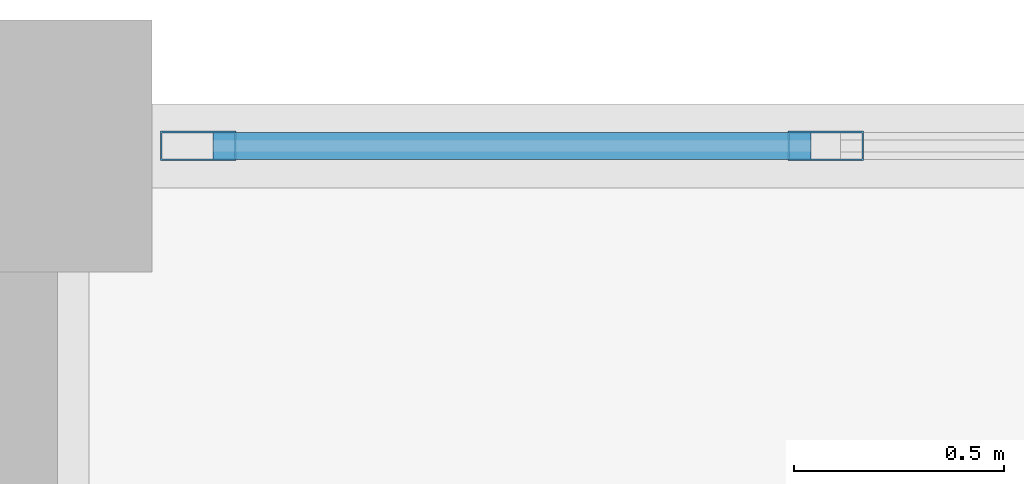
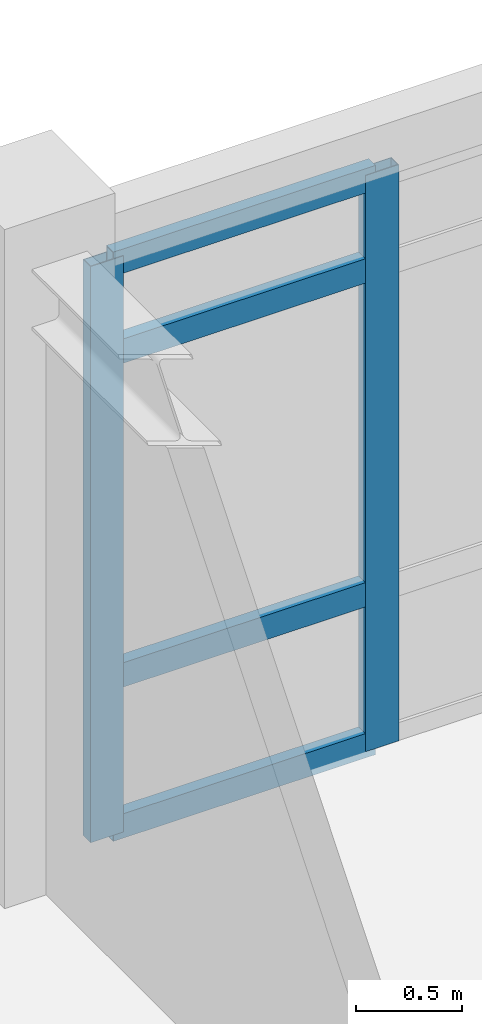
# One storey, part 29 of 86: 6 members, 1 element without a shape of its own.
"""IFC4 building model written with IfcOpenShell, lengths in metres."""

from ifc_helpers import new_model, si_unit, direction, frame, origin, origin_2d, place, context, subcontext, project, spatial, hollow_rectangle, extrude, material, layer, layer_set, material_profile, profile_set, type_object, element, aggregate, save


model = new_model("IFC4")

# Units and contexts
model_context = context("Model", 3, precision=1e-05, world=origin(), true_north=direction((0.0, 1.0)))
body_context = subcontext(model_context, "Body", "Model", "MODEL_VIEW")
ifc_project = project(units=[si_unit("LENGTHUNIT", "METRE"), si_unit("AREAUNIT", "SQUARE_METRE"), si_unit("VOLUMEUNIT", "CUBIC_METRE"), si_unit("PLANEANGLEUNIT", "RADIAN"), si_unit("MASSUNIT", "GRAM", prefix="KILO")], contexts=[model_context])

# Site, building, storey
site_placement = place(None, origin())
site = spatial("IfcSite", under=ifc_project, at=site_placement, CompositionType="ELEMENT")
building_placement = place(site_placement, origin())
building = spatial("IfcBuilding", under=site, at=building_placement, Name="Bramfleet General Hospital", CompositionType="ELEMENT")
storey_placement = place(building_placement, frame((0.0, 0.0, 18.60009765625)))
storey = spatial("IfcBuildingStorey", under=building, at=storey_placement, Name="L04", CompositionType="ELEMENT", Elevation=18.60009765625)

# Curtain wall, members
ifc_material_1 = material(Name="Anodised aluminium and low-E triple glazing", Category="aluminium")
ifc_layer = layer(ifc_material_1, 0.179931640625, Name="CWT-CW-09")
ifc_layer_set = layer_set([ifc_layer], Name="Anodised aluminium and low-E triple glazing")
curtain_wall_type = type_object("IfcCurtainWallType", Name="CWT-CW-09", PredefinedType="USERDEFINED", material=ifc_layer_set)
curtain_wall_placement = place(storey_placement, origin())
curtain_wall = element("IfcCurtainWall", 1, at=curtain_wall_placement, inside=storey, type_object=curtain_wall_type, Name="L04 Curtain Wall 189", ObjectType="Unitised curtain wall", PredefinedType="USERDEFINED")
ifc_material_2 = material(Name="Anodised aluminium EN AW-6060", Category="aluminium")
ifc_material_profile_1 = material_profile(ifc_material_2, hollow_rectangle(XDim=0.070068359375, YDim=0.179931640625, WallThickness=0.00390625, at=origin_2d()), Name="ALU 180x70x4.0")
ifc_profile_set_1 = profile_set([ifc_material_profile_1], Name="Anodised aluminium EN AW-6060")
member_type_1 = type_object("IfcMemberType", Name="CWM-ALU180", PredefinedType="MULLION", material=ifc_profile_set_1)
member_1_placement = place(storey_placement, frame((134.81005859375, 117.60009765625, 0.0), z_axis=(0.0, 0.0, 1.0), x_axis=(0.0, 1.0, 0.0)))
member_1 = element("IfcMember", 2, at=member_1_placement, type_object=member_type_1, Name="CW-09 mullion 1", PredefinedType="MULLION", context=body_context, shape_type="SweptSolid", body=[
    extrude(hollow_rectangle(XDim=0.070068359375, YDim=0.179931640625, WallThickness=0.00390625, at=origin_2d()), origin(), (0.0, 0.0, 1.0), 3.309814453125),
])
member_2_placement = place(storey_placement, frame((136.304931640625, 117.60009765625, 0.0), z_axis=(0.0, 0.0, 1.0), x_axis=(0.0, 1.0, 0.0)))
member_2 = element("IfcMember", 3, at=member_2_placement, type_object=member_type_1, Name="CW-09 mullion 2", PredefinedType="MULLION", context=body_context, shape_type="SweptSolid", body=[
    extrude(hollow_rectangle(XDim=0.070068359375, YDim=0.179931640625, WallThickness=0.00390625, at=origin_2d()), origin(), (0.0, 0.0, 1.0), 3.309814453125),
])
ifc_material_profile_2 = material_profile(ifc_material_2, hollow_rectangle(XDim=0.06494140625, YDim=0.139892578125, WallThickness=0.00390625, at=origin_2d()), Name="ALU 140x65x4.0")
ifc_profile_set_2 = profile_set([ifc_material_profile_2], Name="Anodised aluminium EN AW-6060")
member_type_2 = type_object("IfcMemberType", Name="CWT-ALU140", PredefinedType="USERDEFINED", material=ifc_profile_set_2)
member_3_placement = place(storey_placement, frame((134.844970703125, 117.60009765625, 0.032470703125), z_axis=(1.0, 0.0, 0.0), x_axis=(0.0, 1.0, 0.0)))
member_3 = element("IfcMember", 4, at=member_3_placement, type_object=member_type_2, Name="CW-09 transom 1.1", ObjectType="TRANSOM", PredefinedType="USERDEFINED", context=body_context, shape_type="SweptSolid", body=[
    extrude(hollow_rectangle(XDim=0.06494140625, YDim=0.139892578125, WallThickness=0.00390625, at=origin_2d()), origin(), (0.0, 0.0, 1.0), 1.425048828125),
])
member_4_placement = place(storey_placement, frame((134.844970703125, 117.60009765625, 0.89990234375), z_axis=(1.0, 0.0, 0.0), x_axis=(0.0, 1.0, 0.0)))
member_4 = element("IfcMember", 5, at=member_4_placement, type_object=member_type_2, Name="CW-09 transom 1.2", ObjectType="TRANSOM", PredefinedType="USERDEFINED", context=body_context, shape_type="SweptSolid", body=[
    extrude(hollow_rectangle(XDim=0.06494140625, YDim=0.139892578125, WallThickness=0.00390625, at=origin_2d()), origin(), (0.0, 0.0, 1.0), 1.425048828125),
])
member_5_placement = place(storey_placement, frame((134.844970703125, 117.60009765625, 2.760009765625), z_axis=(1.0, 0.0, 0.0), x_axis=(0.0, 1.0, 0.0)))
member_5 = element("IfcMember", 6, at=member_5_placement, type_object=member_type_2, Name="CW-09 transom 1.3", ObjectType="TRANSOM", PredefinedType="USERDEFINED", context=body_context, shape_type="SweptSolid", body=[
    extrude(hollow_rectangle(XDim=0.06494140625, YDim=0.139892578125, WallThickness=0.00390625, at=origin_2d()), origin(), (0.0, 0.0, 1.0), 1.425048828125),
])
member_6_placement = place(storey_placement, frame((134.844970703125, 117.60009765625, 3.27734375), z_axis=(1.0, 0.0, 0.0), x_axis=(0.0, 1.0, 0.0)))
member_6 = element("IfcMember", 7, at=member_6_placement, type_object=member_type_2, Name="CW-09 transom 1.4", ObjectType="TRANSOM", PredefinedType="USERDEFINED", context=body_context, shape_type="SweptSolid", body=[
    extrude(hollow_rectangle(XDim=0.06494140625, YDim=0.139892578125, WallThickness=0.00390625, at=origin_2d()), origin(), (0.0, 0.0, 1.0), 1.425048828125),
])
aggregate(curtain_wall, [member_1, member_2, member_3, member_4, member_5, member_6])

save(model, "model.ifc")
